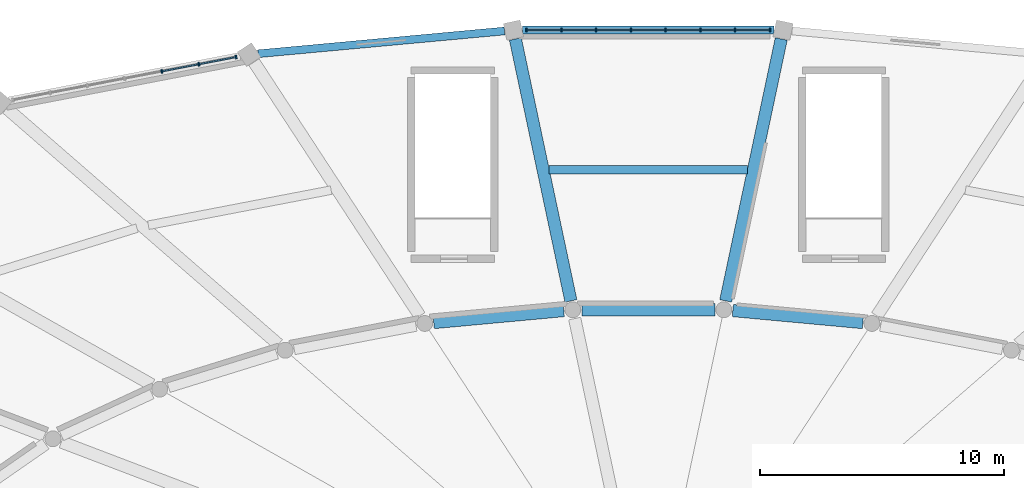
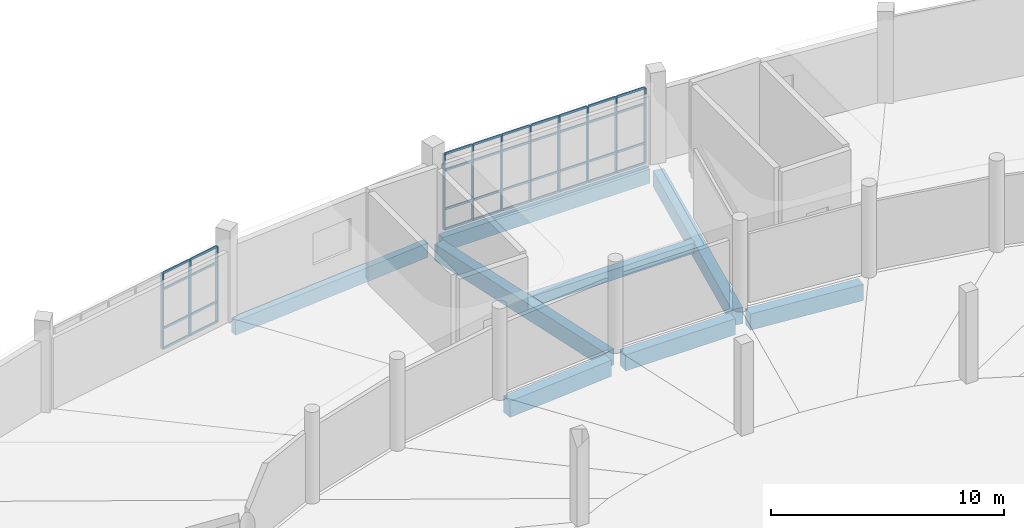
# One storey, part 81 of 179: 47 members, 8 beams, 2 elements without a shape of their own.
"""IFC4 building model written with IfcOpenShell, lengths in metres."""

from ifc_helpers import new_model, si_unit, direction, frame, origin, origin_2d, place, context, subcontext, project, spatial, rectangle, extrude, material, layer, layer_set, material_profile, profile_set, type_object, element, aggregate, save


model = new_model("IFC4")

# Units and contexts
model_context = context("Model", 3, precision=1e-05, world=origin(), true_north=direction((0.0, 1.0)))
body_context = subcontext(model_context, "Body", "Model", "MODEL_VIEW")
ifc_project = project(units=[si_unit("LENGTHUNIT", "METRE"), si_unit("AREAUNIT", "SQUARE_METRE"), si_unit("VOLUMEUNIT", "CUBIC_METRE"), si_unit("PLANEANGLEUNIT", "RADIAN"), si_unit("MASSUNIT", "GRAM", prefix="KILO")], contexts=[model_context])

# Site, building, storey
site_placement = place(None, origin())
site = spatial("IfcSite", under=ifc_project, at=site_placement, CompositionType="ELEMENT")
building_placement = place(site_placement, origin())
building = spatial("IfcBuilding", under=site, at=building_placement, Name="Corvandel Quay Wholesale Market", CompositionType="ELEMENT")
storey_placement = place(building_placement, frame((0.0, 0.0, 6.0)))
storey = spatial("IfcBuildingStorey", under=building, at=storey_placement, Name="L01", CompositionType="ELEMENT", Elevation=6.0)

# Curtain wall, members
ifc_material_1 = material(Name="Bronze anodised aluminium and low-E insulated glazing", Category="aluminium")
ifc_layer_1 = layer(ifc_material_1, 0.197998046875)
ifc_layer_set_1 = layer_set([ifc_layer_1], Name="Bronze anodised aluminium and low-E insulated glazing")
curtain_wall_type_1 = type_object("IfcCurtainWallType", Name="Stick Curtain Wall System CW14 H4260", PredefinedType="NOTDEFINED", material=ifc_layer_set_1)
curtain_wall_1_placement = place(storey_placement, origin())
curtain_wall_1 = element("IfcCurtainWall", 1, at=curtain_wall_1_placement, inside=storey, type_object=curtain_wall_type_1, Name="Curtain Wall CW-0097", PredefinedType="NOTDEFINED")
ifc_material_2 = material(Name="Anodised aluminium 6063-T6", Category="aluminium")
ifc_material_profile_1 = material_profile(ifc_material_2, rectangle(XDim=0.06494140625, YDim=0.14990234375, at=origin_2d()), Name="ALU-MUL-65x150")
ifc_profile_set_1 = profile_set([ifc_material_profile_1], Name="Anodised aluminium 6063-T6")
member_type_1 = type_object("IfcMemberType", Name="Curtain Wall Mullion ML02 65x150", PredefinedType="MULLION", material=ifc_profile_set_1)
member_1_placement = place(storey_placement, frame((118.97607421875, 142.0, 0.0), z_axis=(0.0, 0.0, 1.0), x_axis=(1.0, 0.0, 0.0)))
member_1 = element("IfcMember", 2, at=member_1_placement, type_object=member_type_1, Name="Mullion CW-0097-M00", PredefinedType="MULLION", context=body_context, shape_type="SweptSolid", body=[
    extrude(rectangle(XDim=0.06494140625, YDim=0.14990234375, at=origin_2d()), origin(), (0.0, 0.0, 1.0), 3.949951171875),
])
member_2_placement = place(storey_placement, frame((117.55419921875, 142.0, 0.0), z_axis=(0.0, 0.0, 1.0), x_axis=(1.0, 0.0, 0.0)))
member_2 = element("IfcMember", 3, at=member_2_placement, type_object=member_type_1, Name="Mullion CW-0097-M01", PredefinedType="MULLION", context=body_context, shape_type="SweptSolid", body=[
    extrude(rectangle(XDim=0.06494140625, YDim=0.14990234375, at=origin_2d()), origin(), (0.0, 0.0, 1.0), 3.949951171875),
])
member_3_placement = place(storey_placement, frame((116.132568359375, 142.0, 0.0), z_axis=(0.0, 0.0, 1.0), x_axis=(1.0, 0.0, 0.0)))
member_3 = element("IfcMember", 4, at=member_3_placement, type_object=member_type_1, Name="Mullion CW-0097-M02", PredefinedType="MULLION", context=body_context, shape_type="SweptSolid", body=[
    extrude(rectangle(XDim=0.06494140625, YDim=0.14990234375, at=origin_2d()), origin(), (0.0, 0.0, 1.0), 3.949951171875),
])
member_4_placement = place(storey_placement, frame((114.7109375, 142.0, 0.0), z_axis=(0.0, 0.0, 1.0), x_axis=(1.0, 0.0, 0.0)))
member_4 = element("IfcMember", 5, at=member_4_placement, type_object=member_type_1, Name="Mullion CW-0097-M03", PredefinedType="MULLION", context=body_context, shape_type="SweptSolid", body=[
    extrude(rectangle(XDim=0.06494140625, YDim=0.14990234375, at=origin_2d()), origin(), (0.0, 0.0, 1.0), 3.949951171875),
])
member_5_placement = place(storey_placement, frame((113.2890625, 142.0, 0.0), z_axis=(0.0, 0.0, 1.0), x_axis=(1.0, 0.0, 0.0)))
member_5 = element("IfcMember", 6, at=member_5_placement, type_object=member_type_1, Name="Mullion CW-0097-M04", PredefinedType="MULLION", context=body_context, shape_type="SweptSolid", body=[
    extrude(rectangle(XDim=0.06494140625, YDim=0.14990234375, at=origin_2d()), origin(), (0.0, 0.0, 1.0), 3.949951171875),
])
member_6_placement = place(storey_placement, frame((111.867431640625, 142.0, 0.0), z_axis=(0.0, 0.0, 1.0), x_axis=(1.0, 0.0, 0.0)))
member_6 = element("IfcMember", 7, at=member_6_placement, type_object=member_type_1, Name="Mullion CW-0097-M05", PredefinedType="MULLION", context=body_context, shape_type="SweptSolid", body=[
    extrude(rectangle(XDim=0.06494140625, YDim=0.14990234375, at=origin_2d()), origin(), (0.0, 0.0, 1.0), 3.949951171875),
])
member_7_placement = place(storey_placement, frame((110.44580078125, 142.0, 0.0), z_axis=(0.0, 0.0, 1.0), x_axis=(1.0, 0.0, 0.0)))
member_7 = element("IfcMember", 8, at=member_7_placement, type_object=member_type_1, Name="Mullion CW-0097-M06", PredefinedType="MULLION", context=body_context, shape_type="SweptSolid", body=[
    extrude(rectangle(XDim=0.06494140625, YDim=0.14990234375, at=origin_2d()), origin(), (0.0, 0.0, 1.0), 3.949951171875),
])
member_8_placement = place(storey_placement, frame((109.02392578125, 142.0, 0.0), z_axis=(0.0, 0.0, 1.0), x_axis=(1.0, 0.0, 0.0)))
member_8 = element("IfcMember", 9, at=member_8_placement, type_object=member_type_1, Name="Mullion CW-0097-M07", PredefinedType="MULLION", context=body_context, shape_type="SweptSolid", body=[
    extrude(rectangle(XDim=0.06494140625, YDim=0.14990234375, at=origin_2d()), origin(), (0.0, 0.0, 1.0), 3.949951171875),
])

ifc_layer_2 = layer(ifc_material_1, 0.162109375)
ifc_layer_set_2 = layer_set([ifc_layer_2], Name="Bronze anodised aluminium and low-E insulated glazing")
curtain_wall_type_2 = type_object("IfcCurtainWallType", Name="Stick Curtain Wall System CW16 H4440", PredefinedType="NOTDEFINED", material=ifc_layer_set_2)
curtain_wall_2_placement = place(storey_placement, origin())
curtain_wall_2 = element("IfcCurtainWall", 10, at=curtain_wall_2_placement, inside=storey, type_object=curtain_wall_type_2, Name="Curtain Wall CW-0099", PredefinedType="NOTDEFINED")
member_9_placement = place(storey_placement, frame((97.134765625, 140.89892578125, 0.0), z_axis=(0.0, 0.0, 1.0), x_axis=(0.981991701121, 0.188924055984, 0.0)))
member_9 = element("IfcMember", 11, at=member_9_placement, type_object=member_type_1, Name="Mullion CW-0099-M00", PredefinedType="MULLION", context=body_context, shape_type="SweptSolid", body=[
    extrude(rectangle(XDim=0.06494140625, YDim=0.14990234375, at=origin_2d()), origin(), (0.0, 0.0, 1.0), 3.949951171875),
])
member_10_placement = place(storey_placement, frame((95.613037109375, 140.606201171875, 0.0), z_axis=(0.0, 0.0, 1.0), x_axis=(0.981991701121, 0.188924055984, 0.0)))
member_10 = element("IfcMember", 12, at=member_10_placement, type_object=member_type_1, Name="Mullion CW-0099-M01", PredefinedType="MULLION", context=body_context, shape_type="SweptSolid", body=[
    extrude(rectangle(XDim=0.06494140625, YDim=0.14990234375, at=origin_2d()), origin(), (0.0, 0.0, 1.0), 3.949951171875),
])
member_11_placement = place(storey_placement, frame((94.09130859375, 140.313720703125, 0.0), z_axis=(0.0, 0.0, 1.0), x_axis=(0.981991701121, 0.188924055984, 0.0)))
member_11 = element("IfcMember", 13, at=member_11_placement, type_object=member_type_1, Name="Mullion CW-0099-M02", PredefinedType="MULLION", context=body_context, shape_type="SweptSolid", body=[
    extrude(rectangle(XDim=0.06494140625, YDim=0.14990234375, at=origin_2d()), origin(), (0.0, 0.0, 1.0), 3.949951171875),
])

# Member
ifc_material_profile_2 = material_profile(ifc_material_2, rectangle(XDim=0.06005859375, YDim=0.110107421875, at=origin_2d()), Name="ALU-TRN-60x110")
ifc_profile_set_2 = profile_set([ifc_material_profile_2], Name="Anodised aluminium 6063-T6")
member_type_2 = type_object("IfcMemberType", Name="Curtain Wall Transom TR02 60x110", PredefinedType="USERDEFINED", material=ifc_profile_set_2)
member_12_placement = place(storey_placement, frame((118.943603515625, 142.0, 0.0), z_axis=(-1.0, 0.0, 0.0), x_axis=(0.0, -1.0, 0.0)))
member_12 = element("IfcMember", 14, at=member_12_placement, type_object=member_type_2, Name="Transom CW-0097-T00-0", ObjectType="TRANSOM", PredefinedType="USERDEFINED", context=body_context, shape_type="SweptSolid", body=[
    extrude(rectangle(XDim=0.06005859375, YDim=0.110107421875, at=origin_2d()), origin(), (0.0, 0.0, 1.0), 1.356689453125),
])

member_13_placement = place(storey_placement, frame((118.943603515625, 142.0, 1.050048828125), z_axis=(-1.0, 0.0, 0.0), x_axis=(0.0, -1.0, 0.0)))
member_13 = element("IfcMember", 15, at=member_13_placement, type_object=member_type_2, Name="Transom CW-0097-T00-1", ObjectType="TRANSOM", PredefinedType="USERDEFINED", context=body_context, shape_type="SweptSolid", body=[
    extrude(rectangle(XDim=0.06005859375, YDim=0.110107421875, at=origin_2d()), origin(), (0.0, 0.0, 1.0), 1.356689453125),
])

member_14_placement = place(storey_placement, frame((118.943603515625, 142.0, 3.10009765625), z_axis=(-1.0, 0.0, 0.0), x_axis=(0.0, -1.0, 0.0)))
member_14 = element("IfcMember", 16, at=member_14_placement, type_object=member_type_2, Name="Transom CW-0097-T00-2", ObjectType="TRANSOM", PredefinedType="USERDEFINED", context=body_context, shape_type="SweptSolid", body=[
    extrude(rectangle(XDim=0.06005859375, YDim=0.110107421875, at=origin_2d()), origin(), (0.0, 0.0, 1.0), 1.356689453125),
])

member_15_placement = place(storey_placement, frame((118.943603515625, 142.0, 3.949951171875), z_axis=(-1.0, 0.0, 0.0), x_axis=(0.0, -1.0, 0.0)))
member_15 = element("IfcMember", 17, at=member_15_placement, type_object=member_type_2, Name="Transom CW-0097-T00-3", ObjectType="TRANSOM", PredefinedType="USERDEFINED", context=body_context, shape_type="SweptSolid", body=[
    extrude(rectangle(XDim=0.06005859375, YDim=0.110107421875, at=origin_2d()), origin(), (0.0, 0.0, 1.0), 1.356689453125),
])

member_16_placement = place(storey_placement, frame((117.521728515625, 142.0, 0.0), z_axis=(-1.0, 0.0, 0.0), x_axis=(0.0, -1.0, 0.0)))
member_16 = element("IfcMember", 18, at=member_16_placement, type_object=member_type_2, Name="Transom CW-0097-T01-0", ObjectType="TRANSOM", PredefinedType="USERDEFINED", context=body_context, shape_type="SweptSolid", body=[
    extrude(rectangle(XDim=0.06005859375, YDim=0.110107421875, at=origin_2d()), origin(), (0.0, 0.0, 1.0), 1.356689453125),
])

member_17_placement = place(storey_placement, frame((117.521728515625, 142.0, 1.050048828125), z_axis=(-1.0, 0.0, 0.0), x_axis=(0.0, -1.0, 0.0)))
member_17 = element("IfcMember", 19, at=member_17_placement, type_object=member_type_2, Name="Transom CW-0097-T01-1", ObjectType="TRANSOM", PredefinedType="USERDEFINED", context=body_context, shape_type="SweptSolid", body=[
    extrude(rectangle(XDim=0.06005859375, YDim=0.110107421875, at=origin_2d()), origin(), (0.0, 0.0, 1.0), 1.356689453125),
])

member_18_placement = place(storey_placement, frame((117.521728515625, 142.0, 3.10009765625), z_axis=(-1.0, 0.0, 0.0), x_axis=(0.0, -1.0, 0.0)))
member_18 = element("IfcMember", 20, at=member_18_placement, type_object=member_type_2, Name="Transom CW-0097-T01-2", ObjectType="TRANSOM", PredefinedType="USERDEFINED", context=body_context, shape_type="SweptSolid", body=[
    extrude(rectangle(XDim=0.06005859375, YDim=0.110107421875, at=origin_2d()), origin(), (0.0, 0.0, 1.0), 1.356689453125),
])

member_19_placement = place(storey_placement, frame((117.521728515625, 142.0, 3.949951171875), z_axis=(-1.0, 0.0, 0.0), x_axis=(0.0, -1.0, 0.0)))
member_19 = element("IfcMember", 21, at=member_19_placement, type_object=member_type_2, Name="Transom CW-0097-T01-3", ObjectType="TRANSOM", PredefinedType="USERDEFINED", context=body_context, shape_type="SweptSolid", body=[
    extrude(rectangle(XDim=0.06005859375, YDim=0.110107421875, at=origin_2d()), origin(), (0.0, 0.0, 1.0), 1.356689453125),
])

member_20_placement = place(storey_placement, frame((116.10009765625, 142.0, 0.0), z_axis=(-1.0, 0.0, 0.0), x_axis=(0.0, -1.0, 0.0)))
member_20 = element("IfcMember", 22, at=member_20_placement, type_object=member_type_2, Name="Transom CW-0097-T02-0", ObjectType="TRANSOM", PredefinedType="USERDEFINED", context=body_context, shape_type="SweptSolid", body=[
    extrude(rectangle(XDim=0.06005859375, YDim=0.110107421875, at=origin_2d()), origin(), (0.0, 0.0, 1.0), 1.356689453125),
])

member_21_placement = place(storey_placement, frame((116.10009765625, 142.0, 1.050048828125), z_axis=(-1.0, 0.0, 0.0), x_axis=(0.0, -1.0, 0.0)))
member_21 = element("IfcMember", 23, at=member_21_placement, type_object=member_type_2, Name="Transom CW-0097-T02-1", ObjectType="TRANSOM", PredefinedType="USERDEFINED", context=body_context, shape_type="SweptSolid", body=[
    extrude(rectangle(XDim=0.06005859375, YDim=0.110107421875, at=origin_2d()), origin(), (0.0, 0.0, 1.0), 1.356689453125),
])

member_22_placement = place(storey_placement, frame((116.10009765625, 142.0, 3.10009765625), z_axis=(-1.0, 0.0, 0.0), x_axis=(0.0, -1.0, 0.0)))
member_22 = element("IfcMember", 24, at=member_22_placement, type_object=member_type_2, Name="Transom CW-0097-T02-2", ObjectType="TRANSOM", PredefinedType="USERDEFINED", context=body_context, shape_type="SweptSolid", body=[
    extrude(rectangle(XDim=0.06005859375, YDim=0.110107421875, at=origin_2d()), origin(), (0.0, 0.0, 1.0), 1.356689453125),
])

member_23_placement = place(storey_placement, frame((116.10009765625, 142.0, 3.949951171875), z_axis=(-1.0, 0.0, 0.0), x_axis=(0.0, -1.0, 0.0)))
member_23 = element("IfcMember", 25, at=member_23_placement, type_object=member_type_2, Name="Transom CW-0097-T02-3", ObjectType="TRANSOM", PredefinedType="USERDEFINED", context=body_context, shape_type="SweptSolid", body=[
    extrude(rectangle(XDim=0.06005859375, YDim=0.110107421875, at=origin_2d()), origin(), (0.0, 0.0, 1.0), 1.356689453125),
])

member_24_placement = place(storey_placement, frame((114.678466796875, 142.0, 0.0), z_axis=(-1.0, 0.0, 0.0), x_axis=(0.0, -1.0, 0.0)))
member_24 = element("IfcMember", 26, at=member_24_placement, type_object=member_type_2, Name="Transom CW-0097-T03-0", ObjectType="TRANSOM", PredefinedType="USERDEFINED", context=body_context, shape_type="SweptSolid", body=[
    extrude(rectangle(XDim=0.06005859375, YDim=0.110107421875, at=origin_2d()), origin(), (0.0, 0.0, 1.0), 1.35693359375),
])

member_25_placement = place(storey_placement, frame((114.678466796875, 142.0, 1.050048828125), z_axis=(-1.0, 0.0, 0.0), x_axis=(0.0, -1.0, 0.0)))
member_25 = element("IfcMember", 27, at=member_25_placement, type_object=member_type_2, Name="Transom CW-0097-T03-1", ObjectType="TRANSOM", PredefinedType="USERDEFINED", context=body_context, shape_type="SweptSolid", body=[
    extrude(rectangle(XDim=0.06005859375, YDim=0.110107421875, at=origin_2d()), origin(), (0.0, 0.0, 1.0), 1.35693359375),
])

member_26_placement = place(storey_placement, frame((114.678466796875, 142.0, 3.10009765625), z_axis=(-1.0, 0.0, 0.0), x_axis=(0.0, -1.0, 0.0)))
member_26 = element("IfcMember", 28, at=member_26_placement, type_object=member_type_2, Name="Transom CW-0097-T03-2", ObjectType="TRANSOM", PredefinedType="USERDEFINED", context=body_context, shape_type="SweptSolid", body=[
    extrude(rectangle(XDim=0.06005859375, YDim=0.110107421875, at=origin_2d()), origin(), (0.0, 0.0, 1.0), 1.35693359375),
])

member_27_placement = place(storey_placement, frame((114.678466796875, 142.0, 3.949951171875), z_axis=(-1.0, 0.0, 0.0), x_axis=(0.0, -1.0, 0.0)))
member_27 = element("IfcMember", 29, at=member_27_placement, type_object=member_type_2, Name="Transom CW-0097-T03-3", ObjectType="TRANSOM", PredefinedType="USERDEFINED", context=body_context, shape_type="SweptSolid", body=[
    extrude(rectangle(XDim=0.06005859375, YDim=0.110107421875, at=origin_2d()), origin(), (0.0, 0.0, 1.0), 1.35693359375),
])

member_28_placement = place(storey_placement, frame((113.256591796875, 142.0, 0.0), z_axis=(-1.0, 0.0, 0.0), x_axis=(0.0, -1.0, 0.0)))
member_28 = element("IfcMember", 30, at=member_28_placement, type_object=member_type_2, Name="Transom CW-0097-T04-0", ObjectType="TRANSOM", PredefinedType="USERDEFINED", context=body_context, shape_type="SweptSolid", body=[
    extrude(rectangle(XDim=0.06005859375, YDim=0.110107421875, at=origin_2d()), origin(), (0.0, 0.0, 1.0), 1.356689453125),
])

member_29_placement = place(storey_placement, frame((113.256591796875, 142.0, 1.050048828125), z_axis=(-1.0, 0.0, 0.0), x_axis=(0.0, -1.0, 0.0)))
member_29 = element("IfcMember", 31, at=member_29_placement, type_object=member_type_2, Name="Transom CW-0097-T04-1", ObjectType="TRANSOM", PredefinedType="USERDEFINED", context=body_context, shape_type="SweptSolid", body=[
    extrude(rectangle(XDim=0.06005859375, YDim=0.110107421875, at=origin_2d()), origin(), (0.0, 0.0, 1.0), 1.356689453125),
])

member_30_placement = place(storey_placement, frame((113.256591796875, 142.0, 3.10009765625), z_axis=(-1.0, 0.0, 0.0), x_axis=(0.0, -1.0, 0.0)))
member_30 = element("IfcMember", 32, at=member_30_placement, type_object=member_type_2, Name="Transom CW-0097-T04-2", ObjectType="TRANSOM", PredefinedType="USERDEFINED", context=body_context, shape_type="SweptSolid", body=[
    extrude(rectangle(XDim=0.06005859375, YDim=0.110107421875, at=origin_2d()), origin(), (0.0, 0.0, 1.0), 1.356689453125),
])

member_31_placement = place(storey_placement, frame((113.256591796875, 142.0, 3.949951171875), z_axis=(-1.0, 0.0, 0.0), x_axis=(0.0, -1.0, 0.0)))
member_31 = element("IfcMember", 33, at=member_31_placement, type_object=member_type_2, Name="Transom CW-0097-T04-3", ObjectType="TRANSOM", PredefinedType="USERDEFINED", context=body_context, shape_type="SweptSolid", body=[
    extrude(rectangle(XDim=0.06005859375, YDim=0.110107421875, at=origin_2d()), origin(), (0.0, 0.0, 1.0), 1.356689453125),
])

member_32_placement = place(storey_placement, frame((111.8349609375, 142.0, 0.0), z_axis=(-1.0, 0.0, 0.0), x_axis=(0.0, -1.0, 0.0)))
member_32 = element("IfcMember", 34, at=member_32_placement, type_object=member_type_2, Name="Transom CW-0097-T05-0", ObjectType="TRANSOM", PredefinedType="USERDEFINED", context=body_context, shape_type="SweptSolid", body=[
    extrude(rectangle(XDim=0.06005859375, YDim=0.110107421875, at=origin_2d()), origin(), (0.0, 0.0, 1.0), 1.356689453125),
])

member_33_placement = place(storey_placement, frame((111.8349609375, 142.0, 1.050048828125), z_axis=(-1.0, 0.0, 0.0), x_axis=(0.0, -1.0, 0.0)))
member_33 = element("IfcMember", 35, at=member_33_placement, type_object=member_type_2, Name="Transom CW-0097-T05-1", ObjectType="TRANSOM", PredefinedType="USERDEFINED", context=body_context, shape_type="SweptSolid", body=[
    extrude(rectangle(XDim=0.06005859375, YDim=0.110107421875, at=origin_2d()), origin(), (0.0, 0.0, 1.0), 1.356689453125),
])

member_34_placement = place(storey_placement, frame((111.8349609375, 142.0, 3.10009765625), z_axis=(-1.0, 0.0, 0.0), x_axis=(0.0, -1.0, 0.0)))
member_34 = element("IfcMember", 36, at=member_34_placement, type_object=member_type_2, Name="Transom CW-0097-T05-2", ObjectType="TRANSOM", PredefinedType="USERDEFINED", context=body_context, shape_type="SweptSolid", body=[
    extrude(rectangle(XDim=0.06005859375, YDim=0.110107421875, at=origin_2d()), origin(), (0.0, 0.0, 1.0), 1.356689453125),
])

member_35_placement = place(storey_placement, frame((111.8349609375, 142.0, 3.949951171875), z_axis=(-1.0, 0.0, 0.0), x_axis=(0.0, -1.0, 0.0)))
member_35 = element("IfcMember", 37, at=member_35_placement, type_object=member_type_2, Name="Transom CW-0097-T05-3", ObjectType="TRANSOM", PredefinedType="USERDEFINED", context=body_context, shape_type="SweptSolid", body=[
    extrude(rectangle(XDim=0.06005859375, YDim=0.110107421875, at=origin_2d()), origin(), (0.0, 0.0, 1.0), 1.356689453125),
])

member_36_placement = place(storey_placement, frame((110.4130859375, 142.0, 0.0), z_axis=(-1.0, 0.0, 0.0), x_axis=(0.0, -1.0, 0.0)))
member_36 = element("IfcMember", 38, at=member_36_placement, type_object=member_type_2, Name="Transom CW-0097-T06-0", ObjectType="TRANSOM", PredefinedType="USERDEFINED", context=body_context, shape_type="SweptSolid", body=[
    extrude(rectangle(XDim=0.06005859375, YDim=0.110107421875, at=origin_2d()), origin(), (0.0, 0.0, 1.0), 1.356689453125),
])

member_37_placement = place(storey_placement, frame((110.4130859375, 142.0, 1.050048828125), z_axis=(-1.0, 0.0, 0.0), x_axis=(0.0, -1.0, 0.0)))
member_37 = element("IfcMember", 39, at=member_37_placement, type_object=member_type_2, Name="Transom CW-0097-T06-1", ObjectType="TRANSOM", PredefinedType="USERDEFINED", context=body_context, shape_type="SweptSolid", body=[
    extrude(rectangle(XDim=0.06005859375, YDim=0.110107421875, at=origin_2d()), origin(), (0.0, 0.0, 1.0), 1.356689453125),
])

member_38_placement = place(storey_placement, frame((110.4130859375, 142.0, 3.10009765625), z_axis=(-1.0, 0.0, 0.0), x_axis=(0.0, -1.0, 0.0)))
member_38 = element("IfcMember", 40, at=member_38_placement, type_object=member_type_2, Name="Transom CW-0097-T06-2", ObjectType="TRANSOM", PredefinedType="USERDEFINED", context=body_context, shape_type="SweptSolid", body=[
    extrude(rectangle(XDim=0.06005859375, YDim=0.110107421875, at=origin_2d()), origin(), (0.0, 0.0, 1.0), 1.356689453125),
])

member_39_placement = place(storey_placement, frame((110.4130859375, 142.0, 3.949951171875), z_axis=(-1.0, 0.0, 0.0), x_axis=(0.0, -1.0, 0.0)))
member_39 = element("IfcMember", 41, at=member_39_placement, type_object=member_type_2, Name="Transom CW-0097-T06-3", ObjectType="TRANSOM", PredefinedType="USERDEFINED", context=body_context, shape_type="SweptSolid", body=[
    extrude(rectangle(XDim=0.06005859375, YDim=0.110107421875, at=origin_2d()), origin(), (0.0, 0.0, 1.0), 1.356689453125),
])

aggregate(curtain_wall_1, [member_1, member_2, member_3, member_4, member_5, member_6, member_7, member_8, member_12, member_13, member_14, member_15, member_16, member_17, member_18, member_19, member_20, member_21, member_22, member_23, member_24, member_25, member_26, member_27, member_28, member_29, member_30, member_31, member_32, member_33, member_34, member_35, member_36, member_37, member_38, member_39])

member_40_placement = place(storey_placement, frame((97.102783203125, 140.892822265625, 0.0), z_axis=(-0.982014657523, -0.188804693826, 0.0), x_axis=(0.188804693826, -0.982014657523, 0.0)))
member_40 = element("IfcMember", 42, at=member_40_placement, type_object=member_type_2, Name="Transom CW-0099-T00-0", ObjectType="TRANSOM", PredefinedType="USERDEFINED", context=body_context, shape_type="SweptSolid", body=[
    extrude(rectangle(XDim=0.06005859375, YDim=0.110107421875, at=origin_2d()), origin(), (0.0, 0.0, 1.0), 1.484375),
])

member_41_placement = place(storey_placement, frame((97.102783203125, 140.892822265625, 1.050048828125), z_axis=(-0.982014657523, -0.188804693826, 0.0), x_axis=(0.188804693826, -0.982014657523, 0.0)))
member_41 = element("IfcMember", 43, at=member_41_placement, type_object=member_type_2, Name="Transom CW-0099-T00-1", ObjectType="TRANSOM", PredefinedType="USERDEFINED", context=body_context, shape_type="SweptSolid", body=[
    extrude(rectangle(XDim=0.06005859375, YDim=0.110107421875, at=origin_2d()), origin(), (0.0, 0.0, 1.0), 1.484375),
])

member_42_placement = place(storey_placement, frame((97.102783203125, 140.892822265625, 3.10009765625), z_axis=(-0.982014657523, -0.188804693826, 0.0), x_axis=(0.188804693826, -0.982014657523, 0.0)))
member_42 = element("IfcMember", 44, at=member_42_placement, type_object=member_type_2, Name="Transom CW-0099-T00-2", ObjectType="TRANSOM", PredefinedType="USERDEFINED", context=body_context, shape_type="SweptSolid", body=[
    extrude(rectangle(XDim=0.06005859375, YDim=0.110107421875, at=origin_2d()), origin(), (0.0, 0.0, 1.0), 1.484375),
])

member_43_placement = place(storey_placement, frame((97.102783203125, 140.892822265625, 3.949951171875), z_axis=(-0.982014657523, -0.188804693826, 0.0), x_axis=(0.188804693826, -0.982014657523, 0.0)))
member_43 = element("IfcMember", 45, at=member_43_placement, type_object=member_type_2, Name="Transom CW-0099-T00-3", ObjectType="TRANSOM", PredefinedType="USERDEFINED", context=body_context, shape_type="SweptSolid", body=[
    extrude(rectangle(XDim=0.06005859375, YDim=0.110107421875, at=origin_2d()), origin(), (0.0, 0.0, 1.0), 1.484375),
])

member_44_placement = place(storey_placement, frame((95.5810546875, 140.60009765625, 0.0), z_axis=(-0.982020518786, -0.188774205554, 0.0), x_axis=(0.188774205554, -0.982020518786, 0.0)))
member_44 = element("IfcMember", 46, at=member_44_placement, type_object=member_type_2, Name="Transom CW-0099-T01-0", ObjectType="TRANSOM", PredefinedType="USERDEFINED", context=body_context, shape_type="SweptSolid", body=[
    extrude(rectangle(XDim=0.06005859375, YDim=0.110107421875, at=origin_2d()), origin(), (0.0, 0.0, 1.0), 1.484619140625),
])

member_45_placement = place(storey_placement, frame((95.5810546875, 140.60009765625, 1.050048828125), z_axis=(-0.982020518786, -0.188774205554, 0.0), x_axis=(0.188774205554, -0.982020518786, 0.0)))
member_45 = element("IfcMember", 47, at=member_45_placement, type_object=member_type_2, Name="Transom CW-0099-T01-1", ObjectType="TRANSOM", PredefinedType="USERDEFINED", context=body_context, shape_type="SweptSolid", body=[
    extrude(rectangle(XDim=0.06005859375, YDim=0.110107421875, at=origin_2d()), origin(), (0.0, 0.0, 1.0), 1.484619140625),
])

member_46_placement = place(storey_placement, frame((95.5810546875, 140.60009765625, 3.10009765625), z_axis=(-0.982020518786, -0.188774205554, 0.0), x_axis=(0.188774205554, -0.982020518786, 0.0)))
member_46 = element("IfcMember", 48, at=member_46_placement, type_object=member_type_2, Name="Transom CW-0099-T01-2", ObjectType="TRANSOM", PredefinedType="USERDEFINED", context=body_context, shape_type="SweptSolid", body=[
    extrude(rectangle(XDim=0.06005859375, YDim=0.110107421875, at=origin_2d()), origin(), (0.0, 0.0, 1.0), 1.484619140625),
])

member_47_placement = place(storey_placement, frame((95.5810546875, 140.60009765625, 3.949951171875), z_axis=(-0.982020518786, -0.188774205554, 0.0), x_axis=(0.188774205554, -0.982020518786, 0.0)))
member_47 = element("IfcMember", 49, at=member_47_placement, type_object=member_type_2, Name="Transom CW-0099-T01-3", ObjectType="TRANSOM", PredefinedType="USERDEFINED", context=body_context, shape_type="SweptSolid", body=[
    extrude(rectangle(XDim=0.06005859375, YDim=0.110107421875, at=origin_2d()), origin(), (0.0, 0.0, 1.0), 1.484619140625),
])

aggregate(curtain_wall_2, [member_9, member_10, member_11, member_40, member_41, member_42, member_43, member_44, member_45, member_46, member_47])

# Beams
ifc_material_3 = material(Name="Precast concrete C45/55", Category="concrete")
ifc_material_profile_3 = material_profile(ifc_material_3, rectangle(XDim=0.5, YDim=0.85009765625, at=origin_2d()), Name="PC-GIR-500x850")
ifc_profile_set_3 = profile_set([ifc_material_profile_3], Name="Precast concrete C45/55")
beam_type_1 = type_object("IfcBeamType", Name="Fish Hall Radial Girder G04 500x850", PredefinedType="USERDEFINED", material=ifc_profile_set_3)
beam_1_placement = place(storey_placement, frame((122.778564453125, 130.0341796875, -0.705078125), z_axis=(-0.995757667562, 0.092014496099, 0.0), x_axis=(-0.092014496099, -0.995757667562, 0.0)))
element("IfcBeam", 50, at=beam_1_placement, inside=storey, type_object=beam_type_1, Name="Beam BM-0565", ObjectType="GIRDER", PredefinedType="USERDEFINED", context=body_context, shape_type="SweptSolid", body=[
    extrude(rectangle(XDim=0.5, YDim=0.85009765625, at=origin_2d()), origin(), (0.0, 0.0, 1.0), 5.34375),
])
beam_2_placement = place(storey_placement, frame((116.718994140625, 130.56005859375, -0.705078125), z_axis=(-1.0, 0.0, 0.0), x_axis=(0.0, -1.0, 0.0)))
element("IfcBeam", 51, at=beam_2_placement, inside=storey, type_object=beam_type_1, Name="Beam BM-0571", ObjectType="GIRDER", PredefinedType="USERDEFINED", context=body_context, shape_type="SweptSolid", body=[
    extrude(rectangle(XDim=0.5, YDim=0.85009765625, at=origin_2d()), origin(), (0.0, 0.0, 1.0), 5.43798828125),
])
beam_3_placement = place(storey_placement, frame((119.439208984375, 141.63818359375, -0.705078125), z_axis=(-0.207528766155, -0.97822891555, 0.0), x_axis=(0.97822891555, -0.207528766155, 0.0)))
element("IfcBeam", 52, at=beam_3_placement, inside=storey, type_object=beam_type_1, Name="Beam BM-0572", ObjectType="GIRDER", PredefinedType="USERDEFINED", context=body_context, shape_type="SweptSolid", body=[
    extrude(rectangle(XDim=0.5, YDim=0.85009765625, at=origin_2d()), origin(), (0.0, 0.0, 1.0), 10.954833984375),
])
beam_4_placement = place(storey_placement, frame((110.54248046875, 130.52587890625, -0.705078125), z_axis=(-0.995757667562, -0.092014496099, 0.0), x_axis=(0.092014496099, -0.995757667562, 0.0)))
element("IfcBeam", 53, at=beam_4_placement, inside=storey, type_object=beam_type_1, Name="Beam BM-0578", ObjectType="GIRDER", PredefinedType="USERDEFINED", context=body_context, shape_type="SweptSolid", body=[
    extrude(rectangle(XDim=0.5, YDim=0.85009765625, at=origin_2d()), origin(), (0.0, 0.0, 1.0), 5.34375),
])
beam_5_placement = place(storey_placement, frame((108.560791015625, 141.63818359375, -0.705078125), z_axis=(0.207528766155, -0.97822891555, 0.0), x_axis=(0.97822891555, 0.207528766155, 0.0)))
element("IfcBeam", 54, at=beam_5_placement, inside=storey, type_object=beam_type_1, Name="Beam BM-0579", ObjectType="GIRDER", PredefinedType="USERDEFINED", context=body_context, shape_type="SweptSolid", body=[
    extrude(rectangle(XDim=0.5, YDim=0.85009765625, at=origin_2d()), origin(), (0.0, 0.0, 1.0), 10.954833984375),
])
ifc_material_profile_4 = material_profile(ifc_material_3, rectangle(XDim=0.320068359375, YDim=0.75, at=origin_2d()), Name="PC-SPN-320x750")
ifc_profile_set_4 = profile_set([ifc_material_profile_4], Name="Precast concrete C45/55")
beam_type_2 = type_object("IfcBeamType", Name="Pavilion Precast Spandrel SP02 320x750", PredefinedType="SPANDREL", material=ifc_profile_set_4)
beam_6_placement = place(storey_placement, frame((119.14599609375, 142.0, -0.655029296875), z_axis=(-1.0, 0.0, 0.0), x_axis=(0.0, -1.0, 0.0)))
element("IfcBeam", 55, at=beam_6_placement, inside=storey, type_object=beam_type_2, Name="Beam BM-0570", PredefinedType="SPANDREL", context=body_context, shape_type="SweptSolid", body=[
    extrude(rectangle(XDim=0.320068359375, YDim=0.75, at=origin_2d()), origin(), (0.0, 0.0, 1.0), 10.2919921875),
])
beam_7_placement = place(storey_placement, frame((108.115478515625, 141.966064453125, -0.655029296875), z_axis=(-0.995762128, -0.091966213585, 0.0), x_axis=(0.091966213585, -0.995762128, 0.0)))
element("IfcBeam", 56, at=beam_7_placement, inside=storey, type_object=beam_type_2, Name="Beam BM-0577", PredefinedType="SPANDREL", context=body_context, shape_type="SweptSolid", body=[
    extrude(rectangle(XDim=0.320068359375, YDim=0.75, at=origin_2d()), origin(), (0.0, 0.0, 1.0), 10.125),
])
ifc_material_profile_5 = material_profile(ifc_material_3, rectangle(XDim=0.35009765625, YDim=0.550048828125, at=origin_2d()), Name="PC-BM-350x550")
ifc_profile_set_5 = profile_set([ifc_material_profile_5], Name="Precast concrete C45/55")
beam_type_3 = type_object("IfcBeamType", Name="Standard Floor Secondary Beam B03 350x550", PredefinedType="BEAM", material=ifc_profile_set_5)
beam_8_placement = place(storey_placement, frame((118.0625, 136.280029296875, -0.554931640625), z_axis=(-1.0, 0.0, 0.0), x_axis=(0.0, -1.0, 0.0)))
element("IfcBeam", 57, at=beam_8_placement, inside=storey, type_object=beam_type_3, Name="Beam BM-0573", PredefinedType="BEAM", context=body_context, shape_type="SweptSolid", body=[
    extrude(rectangle(XDim=0.35009765625, YDim=0.550048828125, at=origin_2d()), origin(), (0.0, 0.0, 1.0), 8.125),
])

save(model, "model.ifc")
